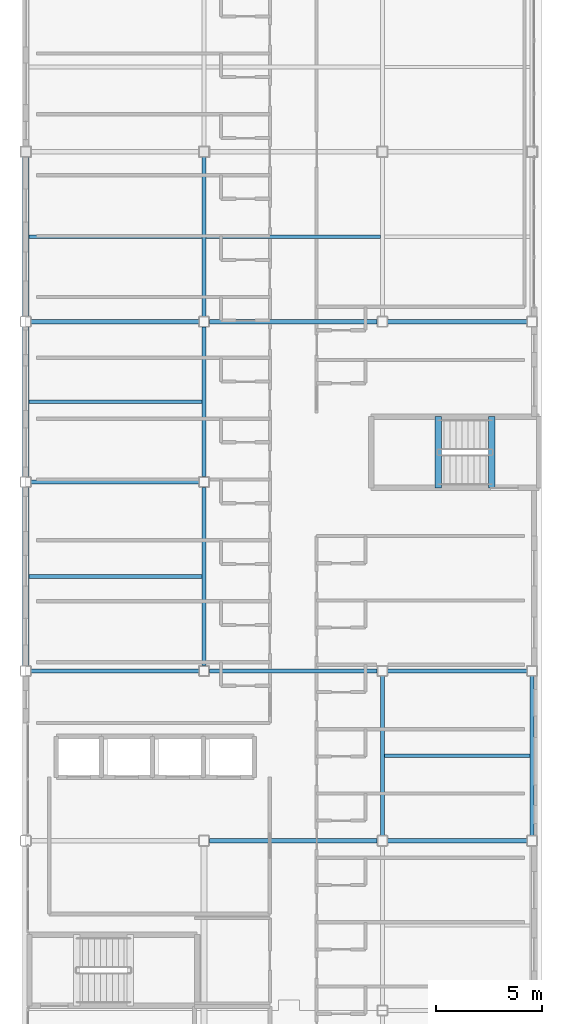
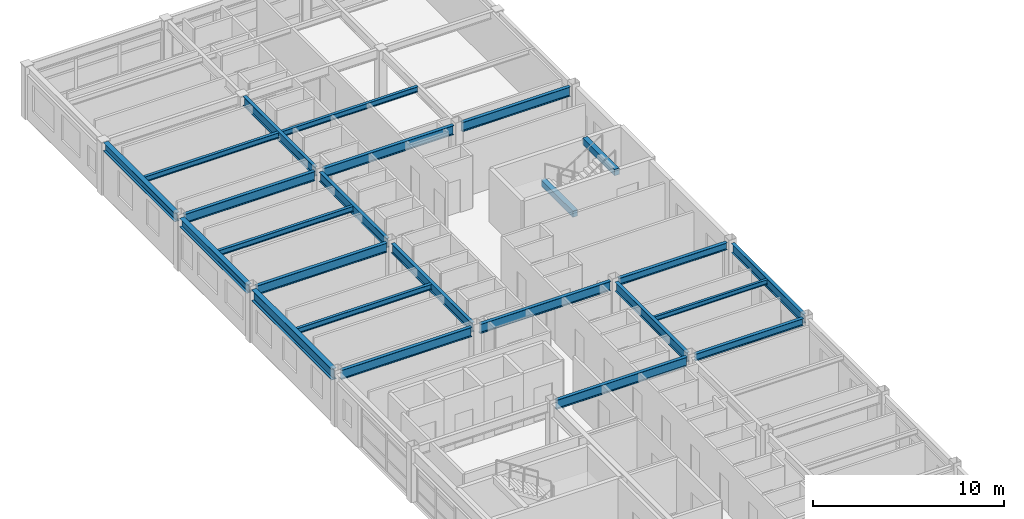
# One storey, part 15 of 33: 24 beams.
"""IFC4 building model written with IfcOpenShell, lengths in metres."""

from ifc_helpers import new_model, si_unit, direction, frame, origin, origin_2d, place, context, subcontext, project, spatial, rectangle, i_section, extrude, material, material_profile, profile_set, type_object, element, save


model = new_model("IFC4")

# Units and contexts
model_context = context("Model", 3, precision=1e-05, world=origin(), true_north=direction((0.0, 1.0)))
body_context = subcontext(model_context, "Body", "Model", "MODEL_VIEW")
ifc_project = project(units=[si_unit("LENGTHUNIT", "METRE"), si_unit("AREAUNIT", "SQUARE_METRE"), si_unit("VOLUMEUNIT", "CUBIC_METRE"), si_unit("PLANEANGLEUNIT", "RADIAN"), si_unit("MASSUNIT", "GRAM", prefix="KILO")], contexts=[model_context])

# Site, building, storey
site_placement = place(None, origin())
site = spatial("IfcSite", under=ifc_project, at=site_placement, CompositionType="ELEMENT")
building_placement = place(site_placement, origin())
building = spatial("IfcBuilding", under=site, at=building_placement, Name="Kazehara Bluff Congress Hotel", CompositionType="ELEMENT")
storey_placement = place(building_placement, frame((0.0, 0.0, 39.0)))
storey = spatial("IfcBuildingStorey", under=building, at=storey_placement, Name="L09", CompositionType="ELEMENT", Elevation=39.0)

# Beams
ifc_material_1 = material(Name="Steel SN490B", Category="steel")
ifc_material_profile_1 = material_profile(ifc_material_1, i_section(OverallWidth=0.199951171875, OverallDepth=0.60009765625, WebThickness=0.010986328125, FlangeThickness=0.01708984375, FilletRadius=0.012939453125, at=origin_2d()))
ifc_profile_set_1 = profile_set([ifc_material_profile_1], Name="Steel SN490B")
beam_type_1 = type_object("IfcBeamType", Name="TP-G-02", PredefinedType="BEAM", material=ifc_profile_set_1)
beam_1_placement = place(storey_placement, frame((152.10009765625, 64.699951171875, 3.080078125), z_axis=(0.0, 1.0, 0.0), x_axis=(-1.0, 0.0, 0.0)))
element("IfcBeam", 1, at=beam_1_placement, inside=storey, type_object=beam_type_1, Name="L09 girder G-02 16", PredefinedType="BEAM", context=body_context, shape_type="SweptSolid", body=[
    extrude(i_section(OverallWidth=0.199951171875, OverallDepth=0.60009765625, WebThickness=0.010986328125, FlangeThickness=0.01708984375, FilletRadius=0.012939453125, at=origin_2d()), origin(), (0.0, 0.0, 1.0), 8.400146484375),
])
beam_2_placement = place(storey_placement, frame((152.10009765625, 73.60009765625, 3.080078125), z_axis=(0.0, 1.0, 0.0), x_axis=(-1.0, 0.0, 0.0)))
element("IfcBeam", 2, at=beam_2_placement, inside=storey, type_object=beam_type_1, Name="L09 girder G-02 17", PredefinedType="BEAM", context=body_context, shape_type="SweptSolid", body=[
    extrude(i_section(OverallWidth=0.199951171875, OverallDepth=0.60009765625, WebThickness=0.010986328125, FlangeThickness=0.01708984375, FilletRadius=0.012939453125, at=origin_2d()), origin(), (0.0, 0.0, 1.0), 7.0498046875),
])
for number, where, z_axis, x_axis, name in (
    (3, (152.10009765625, 81.14990234375, 3.080078125), (0.0, 1.0, 0.0), (-1.0, 0.0, 0.0), "L09 girder G-02 18"),
    (4, (160.5, 56.699951171875, 3.080078125), (0.0, 1.0, 0.0), (-1.0, 0.0, 0.0), "L09 girder G-02 25"),
    (5, (167.550048828125, 56.699951171875, 3.080078125), (0.0, 1.0, 0.0), (-1.0, 0.0, 0.0), "L09 girder G-02 33"),
):
    element("IfcBeam", number, at=place(storey_placement, frame(where, z_axis=z_axis, x_axis=x_axis)), inside=storey, type_object=beam_type_1, Name=name, PredefinedType="BEAM", context=body_context, shape_type="SweptSolid", body=[
        extrude(i_section(OverallWidth=0.199951171875, OverallDepth=0.60009765625, WebThickness=0.010986328125, FlangeThickness=0.01708984375, FilletRadius=0.012939453125, at=origin_2d()), origin(), (0.0, 0.0, 1.0), 7.5),
    ])
beam_3_placement = place(storey_placement, frame((152.35009765625, 56.449951171875, 3.080078125), z_axis=(1.0, 0.0, 0.0), x_axis=(0.0, 1.0, 0.0)))
element("IfcBeam", 6, at=beam_3_placement, inside=storey, type_object=beam_type_1, Name="L09 girder G-02 53", PredefinedType="BEAM", context=body_context, shape_type="SweptSolid", body=[
    extrude(i_section(OverallWidth=0.199951171875, OverallDepth=0.60009765625, WebThickness=0.010986328125, FlangeThickness=0.01708984375, FilletRadius=0.012939453125, at=origin_2d()), origin(), (0.0, 0.0, 1.0), 7.89990234375),
])
beam_4_placement = place(storey_placement, frame((143.949951171875, 64.449951171875, 3.080078125), z_axis=(1.0, 0.0, 0.0), x_axis=(0.0, 1.0, 0.0)))
element("IfcBeam", 7, at=beam_4_placement, inside=storey, type_object=beam_type_1, Name="L09 girder G-02 55", PredefinedType="BEAM", context=body_context, shape_type="SweptSolid", body=[
    extrude(i_section(OverallWidth=0.199951171875, OverallDepth=0.60009765625, WebThickness=0.010986328125, FlangeThickness=0.01708984375, FilletRadius=0.012939453125, at=origin_2d()), origin(), (0.0, 0.0, 1.0), 7.900146484375),
])
beam_5_placement = place(storey_placement, frame((152.35009765625, 64.449951171875, 3.080078125), z_axis=(1.0, 0.0, 0.0), x_axis=(0.0, 1.0, 0.0)))
element("IfcBeam", 8, at=beam_5_placement, inside=storey, type_object=beam_type_1, Name="L09 girder G-02 56", PredefinedType="BEAM", context=body_context, shape_type="SweptSolid", body=[
    extrude(i_section(OverallWidth=0.199951171875, OverallDepth=0.60009765625, WebThickness=0.010986328125, FlangeThickness=0.01708984375, FilletRadius=0.012939453125, at=origin_2d()), origin(), (0.0, 0.0, 1.0), 7.89990234375),
])
beam_6_placement = place(storey_placement, frame((143.949951171875, 73.35009765625, 3.080078125), z_axis=(1.0, 0.0, 0.0), x_axis=(0.0, 1.0, 0.0)))
element("IfcBeam", 9, at=beam_6_placement, inside=storey, type_object=beam_type_1, Name="L09 girder G-02 58", PredefinedType="BEAM", context=body_context, shape_type="SweptSolid", body=[
    extrude(i_section(OverallWidth=0.199951171875, OverallDepth=0.60009765625, WebThickness=0.010986328125, FlangeThickness=0.01708984375, FilletRadius=0.012939453125, at=origin_2d()), origin(), (0.0, 0.0, 1.0), 7.900146484375),
])
ifc_material_2 = material(Name="Steel SN490B", Category="steel")
ifc_material_profile_2 = material_profile(ifc_material_2, i_section(OverallWidth=0.199951171875, OverallDepth=0.449951171875, WebThickness=0.009033203125, FlangeThickness=0.013916015625, FilletRadius=0.012939453125, at=origin_2d()))
ifc_profile_set_2 = profile_set([ifc_material_profile_2], Name="Steel SN490B")
beam_type_2 = type_object("IfcBeamType", Name="TP-G-11", PredefinedType="BEAM", material=ifc_profile_set_2)
for number, where, z_axis, x_axis, name in (
    (10, (160.75, 56.449951171875, 3.155029296875), (1.0, 0.0, 0.0), (0.0, 1.0, 0.0), "L09 girder G-11 54"),
    (11, (160.75, 64.449951171875, 3.155029296875), (1.0, 0.0, 0.0), (0.0, 1.0, 0.0), "L09 girder G-11 57"),
):
    element("IfcBeam", number, at=place(storey_placement, frame(where, z_axis=z_axis, x_axis=x_axis)), inside=storey, type_object=beam_type_2, Name=name, PredefinedType="BEAM", context=body_context, shape_type="SweptSolid", body=[
        extrude(i_section(OverallWidth=0.199951171875, OverallDepth=0.449951171875, WebThickness=0.009033203125, FlangeThickness=0.013916015625, FilletRadius=0.012939453125, at=origin_2d()), origin(), (0.0, 0.0, 1.0), 6.550048828125),
    ])
ifc_material_3 = material(Name="Steel SN400B", Category="steel")
ifc_material_profile_3 = material_profile(ifc_material_3, i_section(OverallWidth=0.14990234375, OverallDepth=0.300048828125, WebThickness=0.006591796875, FlangeThickness=0.009033203125, FilletRadius=0.012939453125, at=origin_2d()))
ifc_profile_set_3 = profile_set([ifc_material_profile_3], Name="Steel SN400B")
beam_type_3 = type_object("IfcBeamType", Name="TP-J-01", PredefinedType="JOIST", material=ifc_profile_set_3)
beam_7_placement = place(storey_placement, frame((160.60009765625, 60.449951171875, 3.22998046875), z_axis=(1.0, 0.0, 0.0), x_axis=(0.0, 1.0, 0.0)))
element("IfcBeam", 12, at=beam_7_placement, inside=storey, type_object=beam_type_3, Name="L09 secondary joist J-01 18", PredefinedType="JOIST", context=body_context, shape_type="SweptSolid", body=[
    extrude(i_section(OverallWidth=0.14990234375, OverallDepth=0.300048828125, WebThickness=0.006591796875, FlangeThickness=0.009033203125, FilletRadius=0.012939453125, at=origin_2d()), origin(), (0.0, 0.0, 1.0), 6.849853515625),
])
ifc_material_4 = material(Name="Steel SN400B", Category="steel")
ifc_material_profile_4 = material_profile(ifc_material_4, i_section(OverallWidth=0.175048828125, OverallDepth=0.35009765625, WebThickness=0.007080078125, FlangeThickness=0.010986328125, FilletRadius=0.012939453125, at=origin_2d()))
ifc_profile_set_4 = profile_set([ifc_material_profile_4], Name="Steel SN400B")
beam_type_4 = type_object("IfcBeamType", Name="TP-J-02", PredefinedType="JOIST", material=ifc_profile_set_4)
for number, where, z_axis, x_axis, name in (
    (13, (143.85009765625, 68.89990234375, 3.205078125), (1.0, 0.0, 0.0), (0.0, 1.0, 0.0), "L09 secondary joist J-02 4"),
    (14, (143.85009765625, 77.125, 3.205078125), (1.0, 0.0, 0.0), (0.0, 1.0, 0.0), "L09 secondary joist J-02 5"),
    (15, (143.85009765625, 84.89990234375, 3.205078125), (1.0, 0.0, 0.0), (0.0, 1.0, 0.0), "L09 secondary joist J-02 6"),
):
    element("IfcBeam", number, at=place(storey_placement, frame(where, z_axis=z_axis, x_axis=x_axis)), inside=storey, type_object=beam_type_4, Name=name, PredefinedType="JOIST", context=body_context, shape_type="SweptSolid", body=[
        extrude(i_section(OverallWidth=0.175048828125, OverallDepth=0.35009765625, WebThickness=0.007080078125, FlangeThickness=0.010986328125, FilletRadius=0.012939453125, at=origin_2d()), origin(), (0.0, 0.0, 1.0), 8.14990234375),
    ])
beam_8_placement = place(storey_placement, frame((152.199951171875, 84.89990234375, 3.205078125), z_axis=(1.0, 0.0, 0.0), x_axis=(0.0, 1.0, 0.0)))
element("IfcBeam", 16, at=beam_8_placement, inside=storey, type_object=beam_type_4, Name="L09 secondary joist J-02 11", PredefinedType="JOIST", context=body_context, shape_type="SweptSolid", body=[
    extrude(i_section(OverallWidth=0.175048828125, OverallDepth=0.35009765625, WebThickness=0.007080078125, FlangeThickness=0.010986328125, FilletRadius=0.012939453125, at=origin_2d()), origin(), (0.0, 0.0, 1.0), 8.199951171875),
])
ifc_material_5 = material(Name="Concrete C40/50", Category="concrete")
ifc_material_profile_5 = material_profile(ifc_material_5, rectangle(XDim=0.300048828125, YDim=0.39990234375, at=origin_2d()))
ifc_profile_set_5 = profile_set([ifc_material_profile_5], Name="Concrete C40/50")
beam_type_5 = type_object("IfcBeamType", Name="TP-LN-02", PredefinedType="LINTEL", material=ifc_profile_set_5)
for number, where, z_axis, x_axis, name in (
    (17, (163.1298828125, 76.425048828125, 1.419921875), (0.0, -1.0, 0.0), (1.0, 0.0, 0.0), "L09 ST-12 half-landing support beam 1"),
    (18, (165.64990234375, 76.425048828125, 3.199951171875), (0.0, -1.0, 0.0), (1.0, 0.0, 0.0), "L10 ST-12 stairwell trimmer beam"),
):
    element("IfcBeam", number, at=place(storey_placement, frame(where, z_axis=z_axis, x_axis=x_axis)), inside=storey, type_object=beam_type_5, Name=name, PredefinedType="LINTEL", context=body_context, shape_type="SweptSolid", body=[
        extrude(rectangle(XDim=0.300048828125, YDim=0.39990234375, at=origin_2d()), origin(), (0.0, 0.0, 1.0), 3.35009765625),
    ])
ifc_material_6 = material(Name="Steel SN490B", Category="steel")
ifc_material_profile_6 = material_profile(ifc_material_6, i_section(OverallWidth=0.300048828125, OverallDepth=0.550048828125, WebThickness=0.010986328125, FlangeThickness=0.01806640625, FilletRadius=0.012939453125, at=origin_2d()))
ifc_profile_set_6 = profile_set([ifc_material_profile_6], Name="Steel SN490B")
beam_type_6 = type_object("IfcBeamType", Name="TP-SP-01", PredefinedType="SPANDREL", material=ifc_profile_set_6)
beam_9_placement = place(storey_placement, frame((143.699951171875, 73.60009765625, 3.10498046875), z_axis=(0.0, 1.0, 0.0), x_axis=(-1.0, 0.0, 0.0)))
element("IfcBeam", 19, at=beam_9_placement, inside=storey, type_object=beam_type_6, Name="L09 girder SP-01 8", PredefinedType="SPANDREL", context=body_context, shape_type="SweptSolid", body=[
    extrude(i_section(OverallWidth=0.300048828125, OverallDepth=0.550048828125, WebThickness=0.010986328125, FlangeThickness=0.01806640625, FilletRadius=0.012939453125, at=origin_2d()), origin(), (0.0, 0.0, 1.0), 7.0498046875),
])
beam_10_placement = place(storey_placement, frame((143.699951171875, 81.14990234375, 3.10498046875), z_axis=(0.0, 1.0, 0.0), x_axis=(-1.0, 0.0, 0.0)))
element("IfcBeam", 20, at=beam_10_placement, inside=storey, type_object=beam_type_6, Name="L09 girder SP-01 9", PredefinedType="SPANDREL", context=body_context, shape_type="SweptSolid", body=[
    extrude(i_section(OverallWidth=0.300048828125, OverallDepth=0.550048828125, WebThickness=0.010986328125, FlangeThickness=0.01806640625, FilletRadius=0.012939453125, at=origin_2d()), origin(), (0.0, 0.0, 1.0), 7.5),
])
ifc_material_7 = material(Name="Steel SN490B", Category="steel")
ifc_material_profile_7 = material_profile(ifc_material_7, i_section(OverallWidth=0.199951171875, OverallDepth=0.60009765625, WebThickness=0.010986328125, FlangeThickness=0.01708984375, FilletRadius=0.012939453125, at=origin_2d()))
ifc_profile_set_7 = profile_set([ifc_material_profile_7], Name="Steel SN490B")
beam_type_7 = type_object("IfcBeamType", Name="TP-SP-02", PredefinedType="SPANDREL", material=ifc_profile_set_7)
beam_11_placement = place(storey_placement, frame((143.949951171875, 80.89990234375, 3.080078125), z_axis=(1.0, 0.0, 0.0), x_axis=(0.0, 1.0, 0.0)))
element("IfcBeam", 21, at=beam_11_placement, inside=storey, type_object=beam_type_7, Name="L09 girder SP-02 59", PredefinedType="SPANDREL", context=body_context, shape_type="SweptSolid", body=[
    extrude(i_section(OverallWidth=0.199951171875, OverallDepth=0.60009765625, WebThickness=0.010986328125, FlangeThickness=0.01708984375, FilletRadius=0.012939453125, at=origin_2d()), origin(), (0.0, 0.0, 1.0), 7.900146484375),
])
beam_12_placement = place(storey_placement, frame((152.35009765625, 80.89990234375, 3.080078125), z_axis=(1.0, 0.0, 0.0), x_axis=(0.0, 1.0, 0.0)))
element("IfcBeam", 22, at=beam_12_placement, inside=storey, type_object=beam_type_7, Name="L09 girder SP-02 60", PredefinedType="SPANDREL", context=body_context, shape_type="SweptSolid", body=[
    extrude(i_section(OverallWidth=0.199951171875, OverallDepth=0.60009765625, WebThickness=0.010986328125, FlangeThickness=0.01708984375, FilletRadius=0.012939453125, at=origin_2d()), origin(), (0.0, 0.0, 1.0), 7.89990234375),
])
beam_13_placement = place(storey_placement, frame((160.75, 80.89990234375, 3.080078125), z_axis=(1.0, 0.0, 0.0), x_axis=(0.0, 1.0, 0.0)))
element("IfcBeam", 23, at=beam_13_placement, inside=storey, type_object=beam_type_7, Name="L09 girder SP-02 61", PredefinedType="SPANDREL", context=body_context, shape_type="SweptSolid", body=[
    extrude(i_section(OverallWidth=0.199951171875, OverallDepth=0.60009765625, WebThickness=0.010986328125, FlangeThickness=0.01708984375, FilletRadius=0.012939453125, at=origin_2d()), origin(), (0.0, 0.0, 1.0), 6.550048828125),
])
ifc_material_8 = material(Name="Steel SN490B", Category="steel")
ifc_material_profile_8 = material_profile(ifc_material_8, i_section(OverallWidth=0.300048828125, OverallDepth=0.699951171875, WebThickness=0.012939453125, FlangeThickness=0.02392578125, FilletRadius=0.01806640625, at=origin_2d()))
ifc_profile_set_8 = profile_set([ifc_material_profile_8], Name="Steel SN490B")
beam_type_8 = type_object("IfcBeamType", Name="TP-SP-03", PredefinedType="SPANDREL", material=ifc_profile_set_8)
beam_14_placement = place(storey_placement, frame((143.699951171875, 64.699951171875, 3.030029296875), z_axis=(0.0, 1.0, 0.0), x_axis=(-1.0, 0.0, 0.0)))
element("IfcBeam", 24, at=beam_14_placement, inside=storey, type_object=beam_type_8, Name="L09 girder SP-03 7", PredefinedType="SPANDREL", context=body_context, shape_type="SweptSolid", body=[
    extrude(i_section(OverallWidth=0.300048828125, OverallDepth=0.699951171875, WebThickness=0.012939453125, FlangeThickness=0.02392578125, FilletRadius=0.01806640625, at=origin_2d()), origin(), (0.0, 0.0, 1.0), 8.400146484375),
])

save(model, "model.ifc")
